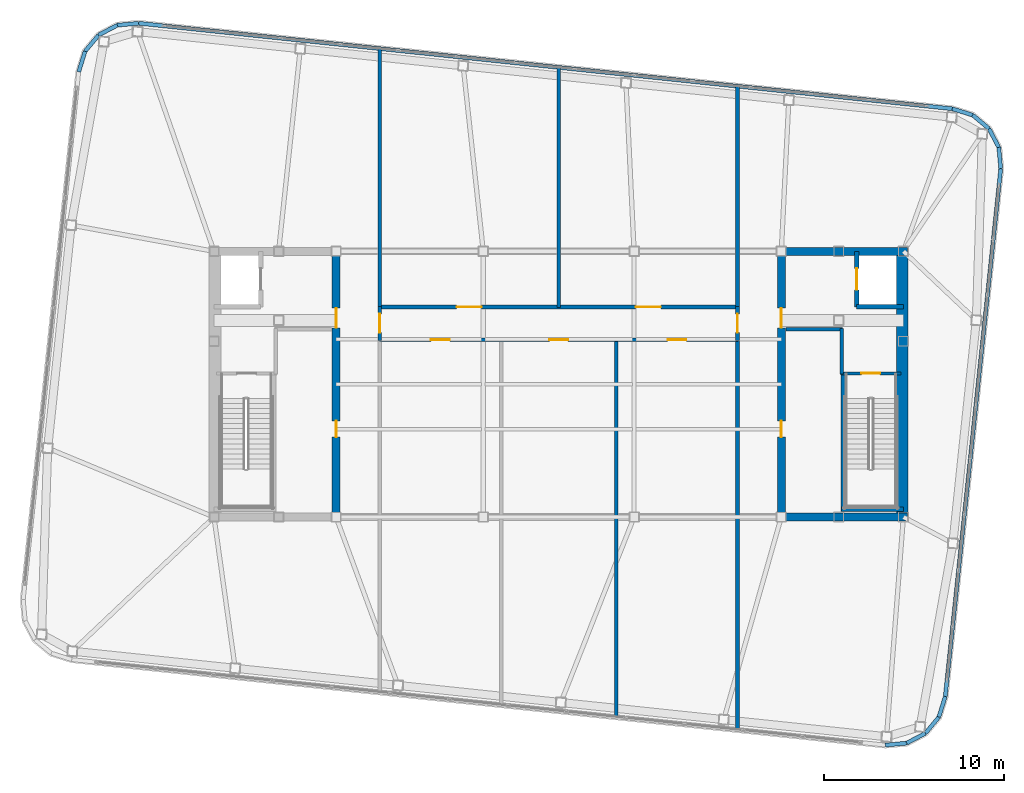
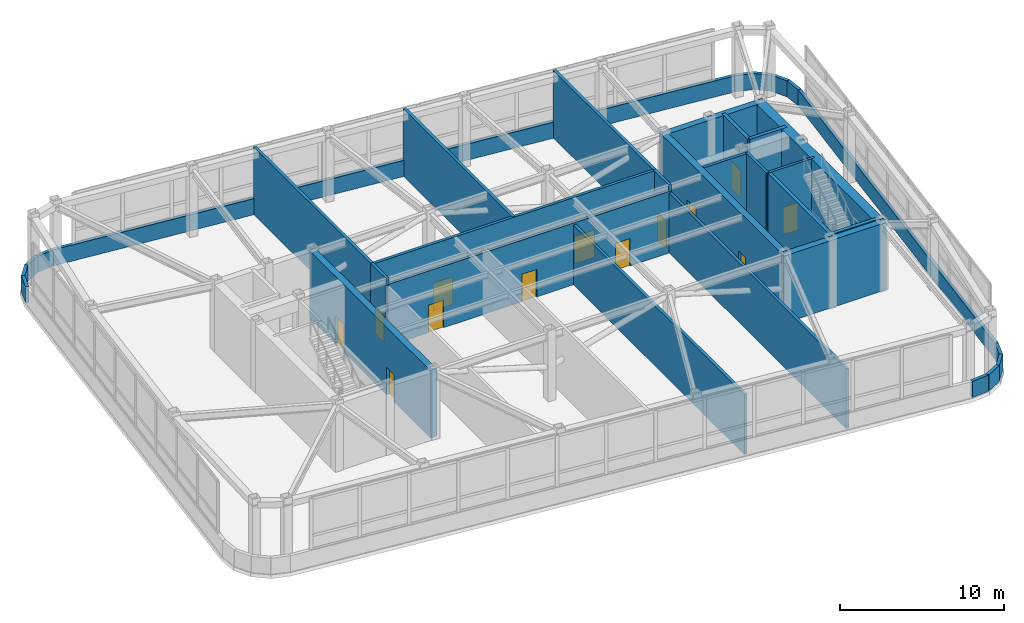
# One storey, part 20 of 23: 35 walls, 13 doors, 13 openings.
"""IFC4 building model written with IfcOpenShell, lengths in metres."""

import ifcopenshell
import ifcopenshell.guid

model = None  # the IFC model being written
_history = None  # IfcOwnerHistory: only IFC2X3 demands one
_inside = {}  # id of a spatial element -> (the spatial element, [elements in it])
_under = {}  # id of a project, library or spatial element -> (it, [spatial elements below it])
_declared = {}  # id of a project -> (the project, [libraries it declares])
_typed = {}  # id of a type object -> (the type object, [elements of that type])
_made_of = {}  # id of a material, layer set ... -> (it, [elements and type objects made of it])


def new_model(schema):
    """Start an empty IFC model of exactly this schema.

    Asked for "IFC4X3", IfcOpenShell would pick the latest addendum, in which some entities
    have other attributes; the version numbers below select the first issue.
    IFC2X3 requires an IfcOwnerHistory on every rooted entity: one is made here for all.
    """
    global model, _history
    if schema == "IFC4X3":
        model = ifcopenshell.file(schema_version=(4, 3, 0, 0))
    else:
        model = ifcopenshell.file(schema=schema)
    _inside.clear()
    _under.clear()
    _declared.clear()
    _typed.clear()
    _made_of.clear()
    _history = None
    if model.schema == "IFC2X3":
        org = make("IfcOrganization", Name="unknown")
        user = make(
            "IfcPersonAndOrganization",
            ThePerson=make("IfcPerson", FamilyName="unknown"),
            TheOrganization=org,
        )
        app = make(
            "IfcApplication",
            ApplicationDeveloper=org,
            Version="unknown",
            ApplicationFullName="unknown",
            ApplicationIdentifier="unknown",
        )
        _history = make(
            "IfcOwnerHistory",
            OwningUser=user,
            OwningApplication=app,
            ChangeAction="ADDED",
            CreationDate=0,
        )
    return model


def make(cls, **values):
    """One entity of the class cls with the attributes given. An attribute that is None is left unset."""
    return model.create_entity(
        cls, **{name: value for name, value in values.items() if value is not None}
    )


def rooted(cls, **values):
    """An entity with a GlobalId (a new one), such as an element, a storey or a relation."""
    return make(cls, GlobalId=ifcopenshell.guid.new(), OwnerHistory=_history, **values)


def si_unit(unit_type, name, prefix=None):
    """IfcSIUnit, for example si_unit("LENGTHUNIT", "METRE", prefix="MILLI")."""
    return make("IfcSIUnit", UnitType=unit_type, Prefix=prefix, Name=name)


def assignment(units):
    """IfcUnitAssignment: the units of a project."""
    return None if units is None else make("IfcUnitAssignment", Units=units)


def point(xyz):
    """IfcCartesianPoint."""
    return None if xyz is None else make("IfcCartesianPoint", Coordinates=xyz)


def direction(xyz):
    """IfcDirection."""
    return None if xyz is None else make("IfcDirection", DirectionRatios=xyz)


def frame(location, z_axis=None, x_axis=None):
    """IfcAxis2Placement3D, a coordinate frame: its origin and axes. An axis left out is left unset."""
    return make(
        "IfcAxis2Placement3D",
        Location=point(location),
        Axis=direction(z_axis),
        RefDirection=direction(x_axis),
    )


def frame_2d(location, x_axis=None):
    """IfcAxis2Placement2D, a coordinate frame in the plane: its origin and x axis."""
    return make(
        "IfcAxis2Placement2D", Location=point(location), RefDirection=direction(x_axis)
    )


def origin():
    """The frame at (0, 0, 0) with its axes left unset."""
    return frame((0.0, 0.0, 0.0))


def place(relative_to, where):
    """IfcLocalPlacement: puts the frame where relative to a parent placement (None: the world)."""
    return make(
        "IfcLocalPlacement", PlacementRelTo=relative_to, RelativePlacement=where
    )


def context(
    kind, dimensions, precision=None, world=None, true_north=None, identifier=None
):
    """IfcGeometricRepresentationContext, for example the 3D "Model" context."""
    return make(
        "IfcGeometricRepresentationContext",
        ContextIdentifier=identifier,
        ContextType=kind,
        CoordinateSpaceDimension=dimensions,
        Precision=precision,
        WorldCoordinateSystem=world,
        TrueNorth=true_north,
    )


def subcontext(parent, identifier, kind, view, scale=None):
    """IfcGeometricRepresentationSubContext, for example "Body" below "Model"."""
    return make(
        "IfcGeometricRepresentationSubContext",
        ContextIdentifier=identifier,
        ContextType=kind,
        ParentContext=parent,
        TargetScale=scale,
        TargetView=view,
    )


def project(units=None, contexts=None):
    """IfcProject with its units and contexts."""
    return rooted(
        "IfcProject",
        Name="project",
        RepresentationContexts=contexts,
        UnitsInContext=assignment(units),
    )


def spatial(cls, under=None, at=None, **own):
    """A site, building, storey or space (cls), placed at a placement, below another one or the project."""
    s = rooted(cls, ObjectPlacement=at, **own)
    if under is not None:
        _under.setdefault(under.id(), (under, []))[1].append(s)
    return s


def profile(cls, at=None, kind="AREA", **sizes):
    """A parametric profile (cls). Its sizes go by their IFC names, for example OverallWidth=200.0."""
    return make(cls, ProfileType=kind, Position=at, **sizes)


def rectangle(**sizes):
    """IfcRectangleProfileDef."""
    return profile("IfcRectangleProfileDef", **sizes)


def extrude(swept, where, along, depth):
    """IfcExtrudedAreaSolid: the profile swept, set in the frame where, extruded along a direction by depth."""
    return make(
        "IfcExtrudedAreaSolid",
        SweptArea=swept,
        Position=where,
        ExtrudedDirection=direction(along),
        Depth=depth,
    )


def shape(context_of_items, identifier, shape_type, items):
    """IfcShapeRepresentation: the items that make up one representation, for example the "Body"."""
    return make(
        "IfcShapeRepresentation",
        ContextOfItems=context_of_items,
        RepresentationIdentifier=identifier,
        RepresentationType=shape_type,
        Items=items,
    )


def material(Name=None, Category=None):
    """IfcMaterial."""
    return make("IfcMaterial", Name=Name, Category=Category)


def layer(
    of_material, thickness, ventilated=None, Name=None, Category=None, Priority=None
):
    """IfcMaterialLayer: one layer of a wall or slab, of a material (None: an air gap)."""
    return make(
        "IfcMaterialLayer",
        Material=of_material,
        LayerThickness=thickness,
        IsVentilated=ventilated,
        Name=Name,
        Category=Category,
        Priority=Priority,
    )


def layer_set(layers, Name=None):
    """IfcMaterialLayerSet."""
    return make("IfcMaterialLayerSet", MaterialLayers=layers, LayerSetName=Name)


def made_of(thing, what):
    """Note that an element or type object is made of a material, layer set ...; save() writes the relation."""
    if what is not None:
        _made_of.setdefault(what.id(), (what, []))[1].append(thing)
    return thing


def type_object(cls, material=None, **own):
    """A type object (cls), such as IfcWallType, which elements share."""
    return made_of(rooted(cls, **own), material)


def element(
    cls,
    number,
    at=None,
    inside=None,
    cuts=None,
    type_object=None,
    material=None,
    context=None,
    identifier="Body",
    shape_type=None,
    held_by="IfcProductDefinitionShape",
    body=None,
    shapes=None,
    **own,
):
    """One element of the class cls, such as IfcWall. Its Tag is "e" and its number.

    at: its placement. inside: the storey or other place that contains it. cuts: it is an
    opening in that element (IfcRelVoidsElement). A single representation is given by context,
    identifier, shape_type and body (its items); several are given by shapes. held_by: the class
    of the entity that holds the representations. save() writes the other relations.
    """
    e = rooted(cls, Tag="e%d" % number, ObjectPlacement=at, **own)
    if body is not None:
        shapes = [shape(context, identifier, shape_type, body)]
    if shapes is not None:
        e.Representation = make(held_by, Representations=shapes)
    if inside is not None:
        _inside.setdefault(inside.id(), (inside, []))[1].append(e)
    if cuts is not None:
        rooted(
            "IfcRelVoidsElement", RelatingBuildingElement=cuts, RelatedOpeningElement=e
        )
    if type_object is not None:
        _typed.setdefault(type_object.id(), (type_object, []))[1].append(e)
    return made_of(e, material)


def fill(opening, filler):
    """IfcRelFillsElement: the door or window that sits in an opening."""
    return rooted(
        "IfcRelFillsElement",
        RelatingOpeningElement=opening,
        RelatedBuildingElement=filler,
    )


def aggregate(whole, parts):
    """IfcRelAggregates: a whole, such as a stair, and the parts it consists of."""
    return rooted("IfcRelAggregates", RelatingObject=whole, RelatedObjects=parts)


def save(model, path):
    """Write the relations noted so far, then the file.

    IfcRelAggregates (storeys below a building ...), IfcRelContainedInSpatialStructure (elements
    in a storey), IfcRelDefinesByType, IfcRelAssociatesMaterial and IfcRelDeclares: one each for
    every whole, place, type object, material and project.
    """
    for whole, parts in _under.values():
        aggregate(whole, parts)
    for where, things in _inside.values():
        rooted(
            "IfcRelContainedInSpatialStructure",
            RelatedElements=things,
            RelatingStructure=where,
        )
    for kind, things in _typed.values():
        rooted("IfcRelDefinesByType", RelatedObjects=things, RelatingType=kind)
    for what, things in _made_of.values():
        rooted("IfcRelAssociatesMaterial", RelatedObjects=things, RelatingMaterial=what)
    for by, libraries in _declared.values():
        rooted("IfcRelDeclares", RelatingContext=by, RelatedDefinitions=libraries)
    model.write(path)


model = new_model("IFC4")

# Units and contexts
model_context = context("Model", 3, precision=1e-05, world=origin(), true_north=direction((0.0, 1.0)))
body_context = subcontext(model_context, "Body", "Model", "MODEL_VIEW")
ifc_project = project(units=[si_unit("LENGTHUNIT", "METRE"), si_unit("AREAUNIT", "SQUARE_METRE"), si_unit("VOLUMEUNIT", "CUBIC_METRE"), si_unit("PLANEANGLEUNIT", "RADIAN"), si_unit("MASSUNIT", "GRAM", prefix="KILO")], contexts=[model_context])

# Site, building, storey
site_placement = place(None, origin())
site = spatial("IfcSite", under=ifc_project, at=site_placement, CompositionType="ELEMENT")
building_placement = place(site_placement, origin())
building = spatial("IfcBuilding", under=site, at=building_placement, Name="Voryun Gate Residences", CompositionType="ELEMENT")
storey_placement = place(building_placement, frame((0.0, 0.0, 331.89990234375)))
storey = spatial("IfcBuildingStorey", under=building, at=storey_placement, Name="L81", CompositionType="ELEMENT", Elevation=331.89990234375)

# Wall, openings, doors
ifc_material_1 = material(Name="Concrete C50/60", Category="concrete")
ifc_layer_1 = layer(ifc_material_1, 0.449951171875, Name="CW_CORE_450")
ifc_layer_set_1 = layer_set([ifc_layer_1], Name="Concrete C50/60")
wall_type_1 = type_object("IfcWallType", Name="CW_CORE_450", PredefinedType="SHEAR", material=ifc_layer_set_1)
wall_1_placement = place(storey_placement, frame((-12.39990234375, -7.39990234375, 0.0), z_axis=(0.0, 0.0, 1.0), x_axis=(0.0, 1.0, 0.0)))
wall_1 = element("IfcWall", 1, at=wall_1_placement, inside=storey, type_object=wall_type_1, Name="L81 Core shear wall CW-L81-WE", PredefinedType="SHEAR", context=body_context, shape_type="SweptSolid", body=[
    extrude(rectangle(XDim=14.7998046875, YDim=0.449951171875, at=frame_2d((7.39990234375, 0.0))), origin(), (0.0, 0.0, 1.0), 5.025146484375),
])
opening_1_placement = place(wall_1_placement, frame((10.530029296875, 0.0, 0.0)))
opening_1 = element("IfcOpeningElement", 2, at=opening_1_placement, cuts=wall_1, Name="Opening D-FD60-2", PredefinedType="OPENING", context=body_context, shape_type="SweptSolid", body=[
    extrude(rectangle(XDim=1.10009765625, YDim=2.050048828125, at=frame_2d((0.550048828125, 1.02490234375))), frame((0.0, 0.235107421875, 0.0), z_axis=(0.0, -1.0, 0.0), x_axis=(1.0, 0.0, 0.0)), (0.0, 0.0, 1.0), 0.469970703125),
])
opening_2_placement = place(wall_1_placement, frame((4.449951171875, 0.0, 0.0)))
opening_2 = element("IfcOpeningElement", 3, at=opening_2_placement, cuts=wall_1, Name="Opening D-FD60-4", PredefinedType="OPENING", context=body_context, shape_type="SweptSolid", body=[
    extrude(rectangle(XDim=0.89990234375, YDim=2.050048828125, at=frame_2d((0.449951171875, 1.02490234375))), frame((0.0, 0.235107421875, 0.0), z_axis=(0.0, -1.0, 0.0), x_axis=(1.0, 0.0, 0.0)), (0.0, 0.0, 1.0), 0.469970703125),
])
ifc_material_2 = material(Name="Painted steel fire door", Category="steel")
door_type_1 = type_object("IfcDoorType", Name="DR_FD60_FFLOB_1100", OperationType="NOTDEFINED", PredefinedType="DOOR", material=ifc_material_2)
door_1_placement = place(opening_1_placement, origin())
door_1 = element("IfcDoor", 4, at=door_1_placement, inside=storey, type_object=door_type_1, Name="Door DR-L81-CLOB-W", OperationType="SINGLE_SWING_LEFT", OverallHeight=2.050048828125, OverallWidth=1.10009765625, PredefinedType="DOOR", context=body_context, shape_type="SweptSolid", body=[
    extrude(rectangle(XDim=1.10009765625, YDim=2.050048828125, at=frame_2d((0.550048828125, 1.02490234375))), frame((0.0, 0.02490234375, 0.0), z_axis=(0.0, -1.0, 0.0), x_axis=(1.0, 0.0, 0.0)), (0.0, 0.0, 1.0), 0.050048828125),
])
fill(opening_1, door_1)
ifc_material_3 = material(Name="Painted steel fire door", Category="steel")
door_type_2 = type_object("IfcDoorType", Name="DR_FD60_RISER_900", OperationType="NOTDEFINED", PredefinedType="DOOR", material=ifc_material_3)
door_2_placement = place(opening_2_placement, origin())
door_2 = element("IfcDoor", 5, at=door_2_placement, inside=storey, type_object=door_type_2, Name="Door DR-L81-CRNW", OperationType="SINGLE_SWING_LEFT", OverallHeight=2.050048828125, OverallWidth=0.89990234375, PredefinedType="DOOR", context=body_context, shape_type="SweptSolid", body=[
    extrude(rectangle(XDim=0.89990234375, YDim=2.050048828125, at=frame_2d((0.449951171875, 1.02490234375))), frame((0.0, 0.02490234375, 0.0), z_axis=(0.0, -1.0, 0.0), x_axis=(1.0, 0.0, 0.0)), (0.0, 0.0, 1.0), 0.050048828125),
])
fill(opening_2, door_2)

# Walls
for number, where, z_axis, x_axis, name in (
    (6, (12.175048828125, -7.39990234375, 0.0), (0.0, 0.0, 1.0), (1.0, 0.0, 0.0), "L81 Core shear wall CW-L81-ES"),
    (7, (12.175048828125, 7.39990234375, 0.0), (0.0, 0.0, 1.0), (1.0, 0.0, 0.0), "L81 Core shear wall CW-L81-EN"),
):
    element("IfcWall", number, at=place(storey_placement, frame(where, z_axis=z_axis, x_axis=x_axis)), inside=storey, type_object=wall_type_1, Name=name, PredefinedType="SHEAR", context=body_context, shape_type="SweptSolid", body=[
        extrude(rectangle(XDim=7.25, YDim=0.449951171875, at=frame_2d((3.625, 0.0))), origin(), (0.0, 0.0, 1.0), 5.025146484375),
    ])

# Wall, openings, doors
wall_2_placement = place(storey_placement, frame((12.39990234375, -7.39990234375, 0.0), z_axis=(0.0, 0.0, 1.0), x_axis=(0.0, 1.0, 0.0)))
wall_2 = element("IfcWall", 8, at=wall_2_placement, inside=storey, type_object=wall_type_1, Name="L81 Core shear wall CW-L81-EW", PredefinedType="SHEAR", context=body_context, shape_type="SweptSolid", body=[
    extrude(rectangle(XDim=14.7998046875, YDim=0.449951171875, at=frame_2d((7.39990234375, 0.0))), origin(), (0.0, 0.0, 1.0), 5.025146484375),
])
opening_3_placement = place(wall_2_placement, frame((10.530029296875, 0.0, 0.0)))
opening_3 = element("IfcOpeningElement", 9, at=opening_3_placement, cuts=wall_2, Name="Opening D-FD60-2", PredefinedType="OPENING", context=body_context, shape_type="SweptSolid", body=[
    extrude(rectangle(XDim=1.10009765625, YDim=2.050048828125, at=frame_2d((0.550048828125, 1.02490234375))), frame((0.0, 0.235107421875, 0.0), z_axis=(0.0, -1.0, 0.0), x_axis=(1.0, 0.0, 0.0)), (0.0, 0.0, 1.0), 0.469970703125),
])
opening_4_placement = place(wall_2_placement, frame((4.449951171875, 0.0, 0.0)))
opening_4 = element("IfcOpeningElement", 10, at=opening_4_placement, cuts=wall_2, Name="Opening D-FD60-4", PredefinedType="OPENING", context=body_context, shape_type="SweptSolid", body=[
    extrude(rectangle(XDim=0.89990234375, YDim=2.050048828125, at=frame_2d((0.449951171875, 1.02490234375))), frame((0.0, 0.235107421875, 0.0), z_axis=(0.0, -1.0, 0.0), x_axis=(1.0, 0.0, 0.0)), (0.0, 0.0, 1.0), 0.469970703125),
])
door_3_placement = place(opening_3_placement, origin())
door_3 = element("IfcDoor", 11, at=door_3_placement, inside=storey, type_object=door_type_1, Name="Door DR-L81-CLOB-E", OperationType="SINGLE_SWING_RIGHT", OverallHeight=2.050048828125, OverallWidth=1.10009765625, PredefinedType="DOOR", context=body_context, shape_type="SweptSolid", body=[
    extrude(rectangle(XDim=1.10009765625, YDim=2.050048828125, at=frame_2d((0.550048828125, 1.02490234375))), frame((0.0, 0.02490234375, 0.0), z_axis=(0.0, -1.0, 0.0), x_axis=(1.0, 0.0, 0.0)), (0.0, 0.0, 1.0), 0.050048828125),
])
fill(opening_3, door_3)
door_4_placement = place(opening_4_placement, origin())
door_4 = element("IfcDoor", 12, at=door_4_placement, inside=storey, type_object=door_type_2, Name="Door DR-L81-CRNE", OperationType="SINGLE_SWING_RIGHT", OverallHeight=2.050048828125, OverallWidth=0.89990234375, PredefinedType="DOOR", context=body_context, shape_type="SweptSolid", body=[
    extrude(rectangle(XDim=0.89990234375, YDim=2.050048828125, at=frame_2d((0.449951171875, 1.02490234375))), frame((0.0, 0.02490234375, 0.0), z_axis=(0.0, -1.0, 0.0), x_axis=(1.0, 0.0, 0.0)), (0.0, 0.0, 1.0), 0.050048828125),
])
fill(opening_4, door_4)

# Wall
ifc_material_4 = material(Name="Concrete C60/75", Category="concrete")
ifc_layer_2 = layer(ifc_material_4, 0.64990234375, Name="CW_CORE_650")
ifc_layer_set_2 = layer_set([ifc_layer_2], Name="Concrete C60/75")
wall_type_2 = type_object("IfcWallType", Name="CW_CORE_650", PredefinedType="SHEAR", material=ifc_layer_set_2)
wall_3_placement = place(storey_placement, frame((19.14501953125, -7.39990234375, 0.0), z_axis=(0.0, 0.0, 1.0), x_axis=(0.0, 1.0, 0.0)))
element("IfcWall", 13, at=wall_3_placement, inside=storey, type_object=wall_type_2, Name="L81 Core shear wall CW-L81-EE", PredefinedType="SHEAR", context=body_context, shape_type="SweptSolid", body=[
    extrude(rectangle(XDim=14.7998046875, YDim=0.64990234375, at=frame_2d((7.39990234375, 0.0))), origin(), (0.0, 0.0, 1.0), 5.025146484375),
])

# Wall, opening, door
ifc_material_5 = material(Name="Gypsum acoustic fireboard")
ifc_layer_3 = layer(ifc_material_5, 0.179931640625, Name="W_CORR_RATED_180")
ifc_layer_set_3 = layer_set([ifc_layer_3], Name="Gypsum acoustic fireboard")
wall_type_3 = type_object("IfcWallType", Name="W_CORR_RATED_180", PredefinedType="PARTITIONING", material=ifc_layer_set_3)
wall_4_placement = place(storey_placement, frame((15.699951171875, 0.60009765625, 0.0), z_axis=(0.0, 0.0, 1.0), x_axis=(1.0, 0.0, 0.0)))
wall_4 = element("IfcWall", 14, at=wall_4_placement, inside=storey, type_object=wall_type_3, Name="Partition wall WP-L81-STV-E", PredefinedType="PARTITIONING", context=body_context, shape_type="SweptSolid", body=[
    extrude(rectangle(XDim=3.360107421875, YDim=0.179931640625, at=frame_2d((1.68017578125, 0.0))), origin(), (0.0, 0.0, 1.0), 5.025146484375),
])
opening_5_placement = place(wall_4_placement, frame((1.155029296875, 0.0, 0.0)))
opening_5 = element("IfcOpeningElement", 15, at=opening_5_placement, cuts=wall_4, Name="Opening D-FD60-1", PredefinedType="OPENING", context=body_context, shape_type="SweptSolid", body=[
    extrude(rectangle(XDim=1.050048828125, YDim=2.050048828125, at=frame_2d((0.52490234375, 1.02490234375))), frame((0.0, 0.099853515625, 0.0), z_axis=(0.0, -1.0, 0.0), x_axis=(1.0, 0.0, 0.0)), (0.0, 0.0, 1.0), 0.199951171875),
])
ifc_material_6 = material(Name="Painted steel fire door", Category="steel")
door_type_3 = type_object("IfcDoorType", Name="DR_FD60_STAIR_1050", OperationType="NOTDEFINED", PredefinedType="DOOR", material=ifc_material_6)
door_5_placement = place(opening_5_placement, origin())
door_5 = element("IfcDoor", 16, at=door_5_placement, inside=storey, type_object=door_type_3, Name="Door DR-L81-ST-E", OperationType="SINGLE_SWING_RIGHT", OverallHeight=2.050048828125, OverallWidth=1.050048828125, PredefinedType="DOOR", context=body_context, shape_type="SweptSolid", body=[
    extrude(rectangle(XDim=1.050048828125, YDim=2.050048828125, at=frame_2d((0.52490234375, 1.02490234375))), frame((0.0, 0.02490234375, 0.0), z_axis=(0.0, -1.0, 0.0), x_axis=(1.0, 0.0, 0.0)), (0.0, 0.0, 1.0), 0.050048828125),
])
fill(opening_5, door_5)

# Walls
ifc_material_7 = material(Name="Concrete C40/50", Category="concrete")
ifc_layer_4 = layer(ifc_material_7, 0.199951171875, Name="W_FF_LOBBY_200")
ifc_layer_set_4 = layer_set([ifc_layer_4], Name="Concrete C40/50")
wall_type_4 = type_object("IfcWallType", Name="W_FF_LOBBY_200", PredefinedType="PARTITIONING", material=ifc_layer_set_4)
wall_5_placement = place(storey_placement, frame((15.760009765625, 0.580078125, 0.0), z_axis=(0.0, 0.0, 1.0), x_axis=(0.0, 1.0, 0.0)))
element("IfcWall", 17, at=wall_5_placement, inside=storey, type_object=wall_type_4, Name="Partition wall WP-L81-FFP0-E", PredefinedType="PARTITIONING", context=body_context, shape_type="SweptSolid", body=[
    extrude(rectangle(XDim=2.52001953125, YDim=0.199951171875, at=frame_2d((1.260009765625, 0.0))), origin(), (0.0, 0.0, 1.0), 5.025146484375),
])
wall_6_placement = place(storey_placement, frame((12.659912109375, 3.06005859375, 0.0), z_axis=(0.0, 0.0, 1.0), x_axis=(1.0, 0.0, 0.0)))
element("IfcWall", 18, at=wall_6_placement, inside=storey, type_object=wall_type_4, Name="Partition wall WP-L81-FFPS-E", PredefinedType="PARTITIONING", context=body_context, shape_type="SweptSolid", body=[
    extrude(rectangle(XDim=3.16015625, YDim=0.199951171875, at=frame_2d((1.580078125, 0.0))), origin(), (0.0, 0.0, 1.0), 5.025146484375),
])

# Wall, openings, doors
wall_7_placement = place(storey_placement, frame((-9.97998046875, 2.47998046875, 0.0), z_axis=(0.0, 0.0, 1.0), x_axis=(1.0, 0.0, 0.0)))
wall_7 = element("IfcWall", 19, at=wall_7_placement, inside=storey, type_object=wall_type_4, Name="Partition wall WP-L81-CS", PredefinedType="PARTITIONING", context=body_context, shape_type="SweptSolid", body=[
    extrude(rectangle(XDim=19.9599609375, YDim=0.199951171875, at=frame_2d((9.97998046875, 0.0))), origin(), (0.0, 0.0, 1.0), 4.59521484375),
])
opening_6_placement = place(wall_7_placement, frame((2.8681640625, 0.0, 0.0)))
opening_6 = element("IfcOpeningElement", 20, at=opening_6_placement, cuts=wall_7, Name="Opening D-FD60-1", PredefinedType="OPENING", context=body_context, shape_type="SweptSolid", body=[
    extrude(rectangle(XDim=1.050048828125, YDim=2.050048828125, at=frame_2d((0.52490234375, 1.02490234375))), frame((0.0, 0.110107421875, 0.0), z_axis=(0.0, -1.0, 0.0), x_axis=(1.0, 0.0, 0.0)), (0.0, 0.0, 1.0), 0.219970703125),
])
opening_7_placement = place(wall_7_placement, frame((9.455078125, 0.0, 0.0)))
opening_7 = element("IfcOpeningElement", 21, at=opening_7_placement, cuts=wall_7, Name="Opening D-FD60-1", PredefinedType="OPENING", context=body_context, shape_type="SweptSolid", body=[
    extrude(rectangle(XDim=1.050048828125, YDim=2.050048828125, at=frame_2d((0.52490234375, 1.02490234375))), frame((0.0, 0.110107421875, 0.0), z_axis=(0.0, -1.0, 0.0), x_axis=(1.0, 0.0, 0.0)), (0.0, 0.0, 1.0), 0.219970703125),
])
opening_8_placement = place(wall_7_placement, frame((16.041748046875, 0.0, 0.0)))
opening_8 = element("IfcOpeningElement", 22, at=opening_8_placement, cuts=wall_7, Name="Opening D-FD60-1", PredefinedType="OPENING", context=body_context, shape_type="SweptSolid", body=[
    extrude(rectangle(XDim=1.050048828125, YDim=2.050048828125, at=frame_2d((0.52490234375, 1.02490234375))), frame((0.0, 0.110107421875, 0.0), z_axis=(0.0, -1.0, 0.0), x_axis=(1.0, 0.0, 0.0)), (0.0, 0.0, 1.0), 0.219970703125),
])
door_6_placement = place(opening_6_placement, origin())
door_6 = element("IfcDoor", 23, at=door_6_placement, inside=storey, type_object=door_type_3, Name="Door DR-L81-CSA", OperationType="SINGLE_SWING_LEFT", OverallHeight=2.050048828125, OverallWidth=1.050048828125, PredefinedType="DOOR", context=body_context, shape_type="SweptSolid", body=[
    extrude(rectangle(XDim=1.050048828125, YDim=2.050048828125, at=frame_2d((0.52490234375, 1.02490234375))), frame((0.0, 0.02490234375, 0.0), z_axis=(0.0, -1.0, 0.0), x_axis=(1.0, 0.0, 0.0)), (0.0, 0.0, 1.0), 0.050048828125),
])
fill(opening_6, door_6)
door_7_placement = place(opening_7_placement, origin())
door_7 = element("IfcDoor", 24, at=door_7_placement, inside=storey, type_object=door_type_3, Name="Door DR-L81-CSB", OperationType="SINGLE_SWING_LEFT", OverallHeight=2.050048828125, OverallWidth=1.050048828125, PredefinedType="DOOR", context=body_context, shape_type="SweptSolid", body=[
    extrude(rectangle(XDim=1.050048828125, YDim=2.050048828125, at=frame_2d((0.52490234375, 1.02490234375))), frame((0.0, 0.02490234375, 0.0), z_axis=(0.0, -1.0, 0.0), x_axis=(1.0, 0.0, 0.0)), (0.0, 0.0, 1.0), 0.050048828125),
])
fill(opening_7, door_7)
door_8_placement = place(opening_8_placement, origin())
door_8 = element("IfcDoor", 25, at=door_8_placement, inside=storey, type_object=door_type_3, Name="Door DR-L81-CSC", OperationType="SINGLE_SWING_RIGHT", OverallHeight=2.050048828125, OverallWidth=1.050048828125, PredefinedType="DOOR", context=body_context, shape_type="SweptSolid", body=[
    extrude(rectangle(XDim=1.050048828125, YDim=2.050048828125, at=frame_2d((0.52490234375, 1.02490234375))), frame((0.0, 0.02490234375, 0.0), z_axis=(0.0, -1.0, 0.0), x_axis=(1.0, 0.0, 0.0)), (0.0, 0.0, 1.0), 0.050048828125),
])
fill(opening_8, door_8)

wall_8_placement = place(storey_placement, frame((-9.97998046875, 4.300048828125, 0.0), z_axis=(0.0, 0.0, 1.0), x_axis=(1.0, 0.0, 0.0)))
wall_8 = element("IfcWall", 26, at=wall_8_placement, inside=storey, type_object=wall_type_4, Name="Partition wall WP-L81-CN", PredefinedType="PARTITIONING", context=body_context, shape_type="SweptSolid", body=[
    extrude(rectangle(XDim=19.9599609375, YDim=0.199951171875, at=frame_2d((9.97998046875, 0.0))), origin(), (0.0, 0.0, 1.0), 5.025146484375),
])
opening_9_placement = place(wall_8_placement, frame((4.2900390625, 0.0, 0.0)))
opening_9 = element("IfcOpeningElement", 27, at=opening_9_placement, cuts=wall_8, Name="Opening D-FD60-3", PredefinedType="OPENING", context=body_context, shape_type="SweptSolid", body=[
    extrude(rectangle(XDim=1.39990234375, YDim=2.050048828125, at=frame_2d((0.699951171875, 1.02490234375))), frame((0.0, 0.110107421875, 0.0), z_axis=(0.0, -1.0, 0.0), x_axis=(1.0, 0.0, 0.0)), (0.0, 0.0, 1.0), 0.219970703125),
])
opening_10_placement = place(wall_8_placement, frame((14.27001953125, 0.0, 0.0)))
opening_10 = element("IfcOpeningElement", 28, at=opening_10_placement, cuts=wall_8, Name="Opening D-FD60-3", PredefinedType="OPENING", context=body_context, shape_type="SweptSolid", body=[
    extrude(rectangle(XDim=1.39990234375, YDim=2.050048828125, at=frame_2d((0.699951171875, 1.02490234375))), frame((0.0, 0.110107421875, 0.0), z_axis=(0.0, -1.0, 0.0), x_axis=(1.0, 0.0, 0.0)), (0.0, 0.0, 1.0), 0.219970703125),
])
ifc_material_8 = material(Name="Painted steel fire door", Category="steel")
door_type_4 = type_object("IfcDoorType", Name="DR_FD60_PLANT_1400", OperationType="NOTDEFINED", PredefinedType="DOOR", material=ifc_material_8)
door_9_placement = place(opening_9_placement, origin())
door_9 = element("IfcDoor", 29, at=door_9_placement, inside=storey, type_object=door_type_4, Name="Door DR-L81-CNA", OperationType="DOUBLE_DOOR_SINGLE_SWING", OverallHeight=2.050048828125, OverallWidth=1.39990234375, PredefinedType="DOOR", context=body_context, shape_type="SweptSolid", body=[
    extrude(rectangle(XDim=1.39990234375, YDim=2.050048828125, at=frame_2d((0.699951171875, 1.02490234375))), frame((0.0, 0.02490234375, 0.0), z_axis=(0.0, -1.0, 0.0), x_axis=(1.0, 0.0, 0.0)), (0.0, 0.0, 1.0), 0.050048828125),
])
fill(opening_9, door_9)
door_10_placement = place(opening_10_placement, origin())
door_10 = element("IfcDoor", 30, at=door_10_placement, inside=storey, type_object=door_type_4, Name="Door DR-L81-CNB", OperationType="DOUBLE_DOOR_SINGLE_SWING", OverallHeight=2.050048828125, OverallWidth=1.39990234375, PredefinedType="DOOR", context=body_context, shape_type="SweptSolid", body=[
    extrude(rectangle(XDim=1.39990234375, YDim=2.050048828125, at=frame_2d((0.699951171875, 1.02490234375))), frame((0.0, 0.02490234375, 0.0), z_axis=(0.0, -1.0, 0.0), x_axis=(1.0, 0.0, 0.0)), (0.0, 0.0, 1.0), 0.050048828125),
])
fill(opening_10, door_10)

# Wall, opening, door
wall_9_placement = place(storey_placement, frame((-9.9599609375, 2.43994140625, 0.0), z_axis=(0.0, 0.0, 1.0), x_axis=(0.0, 1.0, 0.0)))
wall_9 = element("IfcWall", 31, at=wall_9_placement, inside=storey, type_object=wall_type_4, Name="Partition wall WP-L81-CWMID", PredefinedType="PARTITIONING", context=body_context, shape_type="SweptSolid", body=[
    extrude(rectangle(XDim=1.900146484375, YDim=0.199951171875, at=frame_2d((0.9501953125, 0.0))), origin(), (0.0, 0.0, 1.0), 5.025146484375),
])
opening_11_placement = place(wall_9_placement, frame((0.425048828125, 0.0, 0.0)))
opening_11 = element("IfcOpeningElement", 32, at=opening_11_placement, cuts=wall_9, Name="Opening D-FD60-1", PredefinedType="OPENING", context=body_context, shape_type="SweptSolid", body=[
    extrude(rectangle(XDim=1.050048828125, YDim=2.050048828125, at=frame_2d((0.52490234375, 1.02490234375))), frame((0.0, 0.110107421875, 0.0), z_axis=(0.0, -1.0, 0.0), x_axis=(1.0, 0.0, 0.0)), (0.0, 0.0, 1.0), 0.219970703125),
])
door_11_placement = place(opening_11_placement, origin())
door_11 = element("IfcDoor", 33, at=door_11_placement, inside=storey, type_object=door_type_3, Name="Door DR-L81-CW1", OperationType="SINGLE_SWING_LEFT", OverallHeight=2.050048828125, OverallWidth=1.050048828125, PredefinedType="DOOR", context=body_context, shape_type="SweptSolid", body=[
    extrude(rectangle(XDim=1.050048828125, YDim=2.050048828125, at=frame_2d((0.52490234375, 1.02490234375))), frame((0.0, 0.02490234375, 0.0), z_axis=(0.0, -1.0, 0.0), x_axis=(1.0, 0.0, 0.0)), (0.0, 0.0, 1.0), 0.050048828125),
])
fill(opening_11, door_11)

wall_10_placement = place(storey_placement, frame((9.9599609375, 2.43994140625, 0.0), z_axis=(0.0, 0.0, 1.0), x_axis=(0.0, 1.0, 0.0)))
wall_10 = element("IfcWall", 34, at=wall_10_placement, inside=storey, type_object=wall_type_4, Name="Partition wall WP-L81-CEMID", PredefinedType="PARTITIONING", context=body_context, shape_type="SweptSolid", body=[
    extrude(rectangle(XDim=1.900146484375, YDim=0.199951171875, at=frame_2d((0.9501953125, 0.0))), origin(), (0.0, 0.0, 1.0), 5.025146484375),
])
opening_12_placement = place(wall_10_placement, frame((0.425048828125, 0.0, 0.0)))
opening_12 = element("IfcOpeningElement", 35, at=opening_12_placement, cuts=wall_10, Name="Opening D-FD60-1", PredefinedType="OPENING", context=body_context, shape_type="SweptSolid", body=[
    extrude(rectangle(XDim=1.050048828125, YDim=2.050048828125, at=frame_2d((0.52490234375, 1.02490234375))), frame((0.0, 0.110107421875, 0.0), z_axis=(0.0, -1.0, 0.0), x_axis=(1.0, 0.0, 0.0)), (0.0, 0.0, 1.0), 0.219970703125),
])
door_12_placement = place(opening_12_placement, origin())
door_12 = element("IfcDoor", 36, at=door_12_placement, inside=storey, type_object=door_type_3, Name="Door DR-L81-CE1", OperationType="SINGLE_SWING_RIGHT", OverallHeight=2.050048828125, OverallWidth=1.050048828125, PredefinedType="DOOR", context=body_context, shape_type="SweptSolid", body=[
    extrude(rectangle(XDim=1.050048828125, YDim=2.050048828125, at=frame_2d((0.52490234375, 1.02490234375))), frame((0.0, 0.02490234375, 0.0), z_axis=(0.0, -1.0, 0.0), x_axis=(1.0, 0.0, 0.0)), (0.0, 0.0, 1.0), 0.050048828125),
])
fill(opening_12, door_12)

# Walls
wall_11_placement = place(storey_placement, frame((-9.9599609375, 4.280029296875, 0.0), z_axis=(0.0, 0.0, 1.0), x_axis=(0.0, 1.0, 0.0)))
element("IfcWall", 37, at=wall_11_placement, inside=storey, type_object=wall_type_4, Name="Partition wall WP-L81-CW2", PredefinedType="PARTITIONING", context=body_context, shape_type="SweptSolid", body=[
    extrude(rectangle(XDim=14.3916015625, YDim=0.199951171875, at=frame_2d((7.19580078125, 0.0))), origin(), (0.0, 0.0, 1.0), 5.025146484375),
])
wall_12_placement = place(storey_placement, frame((9.9599609375, -19.21826171875, 0.0), z_axis=(0.0, 0.0, 1.0), x_axis=(0.0, 1.0, 0.0)))
element("IfcWall", 38, at=wall_12_placement, inside=storey, type_object=wall_type_4, Name="Partition wall WP-L81-CE1", PredefinedType="PARTITIONING", context=body_context, shape_type="SweptSolid", body=[
    extrude(rectangle(XDim=21.71826171875, YDim=0.199951171875, at=frame_2d((10.859130859375, 0.0))), origin(), (0.0, 0.0, 1.0), 4.465087890625),
])
wall_13_placement = place(storey_placement, frame((9.9599609375, 4.280029296875, 0.0), z_axis=(0.0, 0.0, 1.0), x_axis=(0.0, 1.0, 0.0)))
element("IfcWall", 39, at=wall_13_placement, inside=storey, type_object=wall_type_4, Name="Partition wall WP-L81-CE2", PredefinedType="PARTITIONING", context=body_context, shape_type="SweptSolid", body=[
    extrude(rectangle(XDim=12.2978515625, YDim=0.199951171875, at=frame_2d((6.14892578125, 0.0))), origin(), (0.0, 0.0, 1.0), 5.025146484375),
])
wall_14_placement = place(storey_placement, frame((3.199951171875, -18.5078125, 0.0), z_axis=(0.0, 0.0, 1.0), x_axis=(0.0, 1.0, 0.0)))
element("IfcWall", 40, at=wall_14_placement, inside=storey, type_object=wall_type_4, Name="Partition wall WP-L81-CMIDS2", PredefinedType="PARTITIONING", context=body_context, shape_type="SweptSolid", body=[
    extrude(rectangle(XDim=21.0078125, YDim=0.199951171875, at=frame_2d((10.50390625, 0.0))), origin(), (0.0, 0.0, 1.0), 4.465087890625),
])
wall_15_placement = place(storey_placement, frame((0.0, 4.280029296875, 0.0), z_axis=(0.0, 0.0, 1.0), x_axis=(0.0, 1.0, 0.0)))
element("IfcWall", 41, at=wall_15_placement, inside=storey, type_object=wall_type_4, Name="Partition wall WP-L81-CMIDN1", PredefinedType="PARTITIONING", context=body_context, shape_type="SweptSolid", body=[
    extrude(rectangle(XDim=13.3447265625, YDim=0.199951171875, at=frame_2d((6.67236328125, 0.0))), origin(), (0.0, 0.0, 1.0), 5.025146484375),
])
ifc_material_9 = material(Name="Precast concrete C40/50", Category="concrete")
ifc_layer_5 = layer(ifc_material_9, 0.219970703125, Name="W_PARAPET_CURB_220")
ifc_layer_set_5 = layer_set([ifc_layer_5], Name="Precast concrete C40/50")
wall_type_5 = type_object("IfcWallType", Name="W_PARAPET_CURB_220", PredefinedType="PARAPET", material=ifc_layer_set_5)
wall_16_placement = place(storey_placement, frame((-26.7333984375, 17.400146484375, 0.0), z_axis=(0.0, 0.0, 1.0), x_axis=(0.296611239858, 0.95499831015, 0.0)))
element("IfcWall", 42, at=wall_16_placement, inside=storey, type_object=wall_type_5, Name="Exterior wall WCRN-L81-07", PredefinedType="PARAPET", context=body_context, shape_type="SweptSolid", body=[
    extrude(rectangle(XDim=1.195068359375, YDim=0.219970703125, at=frame_2d((0.59765625, 0.0))), origin(), (0.0, 0.0, 1.0), 1.2001953125),
])
wall_17_placement = place(storey_placement, frame((-26.37890625, 18.54150390625, 0.0), z_axis=(0.0, 0.0, 1.0), x_axis=(0.639408628756, 0.768867092203, 0.0)))
element("IfcWall", 43, at=wall_17_placement, inside=storey, type_object=wall_type_5, Name="Exterior wall WCRN-L81-08", PredefinedType="PARAPET", context=body_context, shape_type="SweptSolid", body=[
    extrude(rectangle(XDim=1.1767578125, YDim=0.219970703125, at=frame_2d((0.58837890625, 0.0))), origin(), (0.0, 0.0, 1.0), 1.2001953125),
])
wall_18_placement = place(storey_placement, frame((-25.62646484375, 19.4462890625, 0.0), z_axis=(0.0, 0.0, 1.0), x_axis=(0.884985697578, 0.465618207421, 0.0)))
element("IfcWall", 44, at=wall_18_placement, inside=storey, type_object=wall_type_5, Name="Exterior wall WCRN-L81-09", PredefinedType="PARAPET", context=body_context, shape_type="SweptSolid", body=[
    extrude(rectangle(XDim=1.17724609375, YDim=0.219970703125, at=frame_2d((0.588623046875, 0.0))), origin(), (0.0, 0.0, 1.0), 1.2001953125),
])
wall_19_placement = place(storey_placement, frame((-24.584716796875, 19.994384765625, 0.0), z_axis=(0.0, 0.0, 1.0), x_axis=(0.995802277791, 0.091530451467, 0.0)))
element("IfcWall", 45, at=wall_19_placement, inside=storey, type_object=wall_type_5, Name="Exterior wall WCRN-L81-10", PredefinedType="PARAPET", context=body_context, shape_type="SweptSolid", body=[
    extrude(rectangle(XDim=1.195068359375, YDim=0.219970703125, at=frame_2d((0.59765625, 0.0))), origin(), (0.0, 0.0, 1.0), 1.2001953125),
])
wall_20_placement = place(storey_placement, frame((-23.394775390625, 20.103759765625, 0.0), z_axis=(0.0, 0.0, 1.0), x_axis=(0.994522116558, -0.104526358762, 0.0)))
element("IfcWall", 46, at=wall_20_placement, inside=storey, type_object=wall_type_5, Name="Exterior wall WCRN-L81-11", PredefinedType="PARAPET", context=body_context, shape_type="SweptSolid", body=[
    extrude(rectangle(XDim=45.564453125, YDim=0.219970703125, at=frame_2d((22.7822265625, 0.0))), origin(), (0.0, 0.0, 1.0), 1.2001953125),
])
wall_21_placement = place(storey_placement, frame((21.920166015625, 15.341064453125, 0.0), z_axis=(0.0, 0.0, 1.0), x_axis=(0.95499831015, -0.296611239858, 0.0)))
element("IfcWall", 47, at=wall_21_placement, inside=storey, type_object=wall_type_5, Name="Exterior wall WCRN-L81-12", PredefinedType="PARAPET", context=body_context, shape_type="SweptSolid", body=[
    extrude(rectangle(XDim=1.195068359375, YDim=0.219970703125, at=frame_2d((0.59765625, 0.0))), origin(), (0.0, 0.0, 1.0), 1.2001953125),
])
for number, where, z_axis, x_axis, name in (
    (48, (23.0615234375, 14.986572265625, 0.0), (0.0, 0.0, 1.0), (0.768765101718, -0.639531248947, 0.0), "Exterior wall WCRN-L81-13"),
    (49, (23.96630859375, 14.23388671875, 0.0), (0.0, 0.0, 1.0), (0.465703684269, -0.884940720308, 0.0), "Exterior wall WCRN-L81-14"),
):
    element("IfcWall", number, at=place(storey_placement, frame(where, z_axis=z_axis, x_axis=x_axis)), inside=storey, type_object=wall_type_5, Name=name, PredefinedType="PARAPET", context=body_context, shape_type="SweptSolid", body=[
        extrude(rectangle(XDim=1.177001953125, YDim=0.219970703125, at=frame_2d((0.58837890625, 0.0))), origin(), (0.0, 0.0, 1.0), 1.2001953125),
    ])
wall_22_placement = place(storey_placement, frame((24.514404296875, 13.1923828125, 0.0), z_axis=(0.0, 0.0, 1.0), x_axis=(0.091530451467, -0.995802277791, 0.0)))
element("IfcWall", 50, at=wall_22_placement, inside=storey, type_object=wall_type_5, Name="Exterior wall WCRN-L81-15", PredefinedType="PARAPET", context=body_context, shape_type="SweptSolid", body=[
    extrude(rectangle(XDim=1.195068359375, YDim=0.219970703125, at=frame_2d((0.59765625, 0.0))), origin(), (0.0, 0.0, 1.0), 1.2001953125),
])
wall_23_placement = place(storey_placement, frame((24.623779296875, 12.00244140625, 0.0), z_axis=(0.0, 0.0, 1.0), x_axis=(-0.104528313262, -0.994521911134, 0.0)))
element("IfcWall", 51, at=wall_23_placement, inside=storey, type_object=wall_type_5, Name="Exterior wall WCRN-L81-16", PredefinedType="PARAPET", context=body_context, shape_type="SweptSolid", body=[
    extrude(rectangle(XDim=29.564453125, YDim=0.219970703125, at=frame_2d((14.7822265625, 0.0))), origin(), (0.0, 0.0, 1.0), 1.2001953125),
])
wall_24_placement = place(storey_placement, frame((21.533447265625, -17.400146484375, 0.0), z_axis=(0.0, 0.0, 1.0), x_axis=(-0.296611239858, -0.95499831015, 0.0)))
element("IfcWall", 52, at=wall_24_placement, inside=storey, type_object=wall_type_5, Name="Exterior wall WCRN-L81-17", PredefinedType="PARAPET", context=body_context, shape_type="SweptSolid", body=[
    extrude(rectangle(XDim=1.195068359375, YDim=0.219970703125, at=frame_2d((0.59765625, 0.0))), origin(), (0.0, 0.0, 1.0), 1.2001953125),
])
wall_25_placement = place(storey_placement, frame((21.178955078125, -18.54150390625, 0.0), z_axis=(0.0, 0.0, 1.0), x_axis=(-0.639408628756, -0.768867092203, 0.0)))
element("IfcWall", 53, at=wall_25_placement, inside=storey, type_object=wall_type_5, Name="Exterior wall WCRN-L81-18", PredefinedType="PARAPET", context=body_context, shape_type="SweptSolid", body=[
    extrude(rectangle(XDim=1.1767578125, YDim=0.219970703125, at=frame_2d((0.58837890625, 0.0))), origin(), (0.0, 0.0, 1.0), 1.2001953125),
])
wall_26_placement = place(storey_placement, frame((20.426513671875, -19.4462890625, 0.0), z_axis=(0.0, 0.0, 1.0), x_axis=(-0.884985697578, -0.465618207421, 0.0)))
element("IfcWall", 54, at=wall_26_placement, inside=storey, type_object=wall_type_5, Name="Exterior wall WCRN-L81-19", PredefinedType="PARAPET", context=body_context, shape_type="SweptSolid", body=[
    extrude(rectangle(XDim=1.17724609375, YDim=0.219970703125, at=frame_2d((0.588623046875, 0.0))), origin(), (0.0, 0.0, 1.0), 1.2001953125),
])
wall_27_placement = place(storey_placement, frame((19.384765625, -19.994384765625, 0.0), z_axis=(0.0, 0.0, 1.0), x_axis=(-0.995802277791, -0.091530451467, 0.0)))
element("IfcWall", 55, at=wall_27_placement, inside=storey, type_object=wall_type_5, Name="Exterior wall WCRN-L81-20", PredefinedType="PARAPET", context=body_context, shape_type="SweptSolid", body=[
    extrude(rectangle(XDim=1.195068359375, YDim=0.219970703125, at=frame_2d((0.59765625, 0.0))), origin(), (0.0, 0.0, 1.0), 1.2001953125),
])
ifc_material_10 = material(Name="Concrete C50/60", Category="concrete")
ifc_layer_6 = layer(ifc_material_10, 0.25, Name="W_SHAFT_RC250")
ifc_layer_set_6 = layer_set([ifc_layer_6], Name="Concrete C50/60")
wall_type_6 = type_object("IfcWallType", Name="W_SHAFT_RC250", PredefinedType="SOLIDWALL", material=ifc_layer_set_6)
wall_28_placement = place(storey_placement, frame((15.860107421875, -7.0849609375, 0.0), z_axis=(0.0, 0.0, 1.0), x_axis=(0.0, 1.0, 0.0)))
element("IfcWall", 56, at=wall_28_placement, inside=storey, type_object=wall_type_6, Name="L81 Stair shaft structural wall E-STL", PredefinedType="SOLIDWALL", context=body_context, shape_type="SweptSolid", body=[
    extrude(rectangle(XDim=7.68505859375, YDim=0.25, at=frame_2d((3.842529296875, 0.0))), origin(), (0.0, 0.0, 1.0), 5.025146484375),
])
wall_29_placement = place(storey_placement, frame((15.739990234375, -6.965087890625, 0.0), z_axis=(0.0, 0.0, 1.0), x_axis=(1.0, 0.0, 0.0)))
element("IfcWall", 57, at=wall_29_placement, inside=storey, type_object=wall_type_6, Name="L81 Stair shaft structural wall E-STS", PredefinedType="SOLIDWALL", context=body_context, shape_type="SweptSolid", body=[
    extrude(rectangle(XDim=3.4599609375, YDim=0.25, at=frame_2d((1.72998046875, 0.0))), origin(), (0.0, 0.0, 1.0), 5.025146484375),
])
wall_30_placement = place(storey_placement, frame((16.60009765625, 4.300048828125, 0.0), z_axis=(0.0, 0.0, 1.0), x_axis=(1.0, 0.0, 0.0)))
element("IfcWall", 58, at=wall_30_placement, inside=storey, type_object=wall_type_6, Name="Lift shaft wall WSH-L81-EL-FF-E1-S", PredefinedType="SOLIDWALL", context=body_context, shape_type="SweptSolid", body=[
    extrude(rectangle(XDim=2.599853515625, YDim=0.25, at=frame_2d((1.2998046875, 0.0))), origin(), (0.0, 0.0, 1.0), 5.025146484375),
])

# Wall, opening, door
wall_31_placement = place(storey_placement, frame((16.60009765625, 7.39990234375, 0.0), z_axis=(0.0, 0.0, 1.0), x_axis=(0.0, -1.0, 0.0)))
wall_31 = element("IfcWall", 59, at=wall_31_placement, inside=storey, type_object=wall_type_6, Name="Lift shaft wall WSH-L81-EL-FF-E1-W", PredefinedType="SOLIDWALL", context=body_context, shape_type="SweptSolid", body=[
    extrude(rectangle(XDim=3.099853515625, YDim=0.25, at=frame_2d((1.5498046875, 0.0))), origin(), (0.0, 0.0, 1.0), 5.025146484375),
])
opening_13_placement = place(wall_31_placement, frame((0.949951171875, 0.0, 0.0)))
opening_13 = element("IfcOpeningElement", 60, at=opening_13_placement, cuts=wall_31, Name="Opening LD1", PredefinedType="OPENING", context=body_context, shape_type="SweptSolid", body=[
    extrude(rectangle(XDim=1.199951171875, YDim=2.050048828125, at=frame_2d((0.60009765625, 1.02490234375))), frame((0.0, 0.135009765625, 0.0), z_axis=(0.0, -1.0, 0.0), x_axis=(1.0, 0.0, 0.0)), (0.0, 0.0, 1.0), 0.27001953125),
])
ifc_material_11 = material(Name="Anodised aluminium", Category="aluminium")
door_type_5 = type_object("IfcDoorType", Name="DR_LD_FF_1200", OperationType="NOTDEFINED", PredefinedType="DOOR", material=ifc_material_11)
door_13_placement = place(opening_13_placement, origin())
door_13 = element("IfcDoor", 61, at=door_13_placement, inside=storey, type_object=door_type_5, Name="Lift EL-FF-E1 sliding landing door L81", OperationType="SLIDING_TO_LEFT", OverallHeight=2.050048828125, OverallWidth=1.199951171875, PredefinedType="DOOR", context=body_context, shape_type="SweptSolid", body=[
    extrude(rectangle(XDim=1.199951171875, YDim=2.050048828125, at=frame_2d((0.60009765625, 1.02490234375))), frame((0.0, 0.02490234375, 0.0), z_axis=(0.0, -1.0, 0.0), x_axis=(1.0, 0.0, 0.0)), (0.0, 0.0, 1.0), 0.050048828125),
])
fill(opening_13, door_13)

save(model, "model.ifc")
